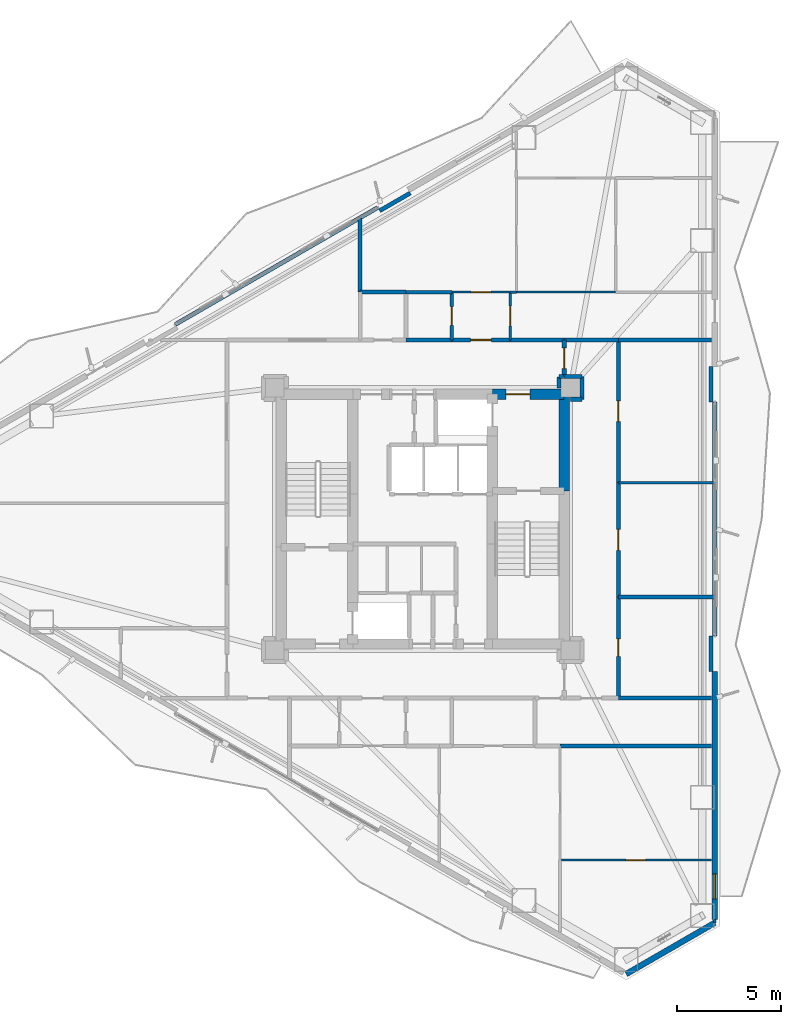
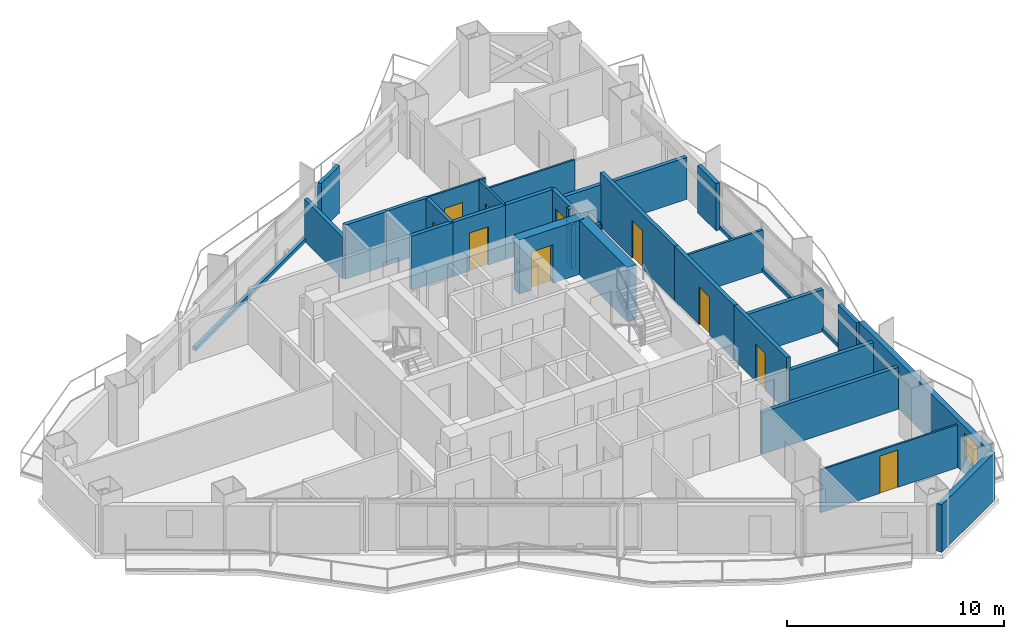
# One storey, part 18 of 22: 37 walls, 10 doors, 1 window, 11 openings.
"""IFC4 building model written with IfcOpenShell, lengths in metres."""

import ifcopenshell
import ifcopenshell.guid

model = None  # the IFC model being written
_history = None  # IfcOwnerHistory: only IFC2X3 demands one
_inside = {}  # id of a spatial element -> (the spatial element, [elements in it])
_under = {}  # id of a project, library or spatial element -> (it, [spatial elements below it])
_declared = {}  # id of a project -> (the project, [libraries it declares])
_typed = {}  # id of a type object -> (the type object, [elements of that type])
_made_of = {}  # id of a material, layer set ... -> (it, [elements and type objects made of it])


def new_model(schema):
    """Start an empty IFC model of exactly this schema.

    Asked for "IFC4X3", IfcOpenShell would pick the latest addendum, in which some entities
    have other attributes; the version numbers below select the first issue.
    IFC2X3 requires an IfcOwnerHistory on every rooted entity: one is made here for all.
    """
    global model, _history
    if schema == "IFC4X3":
        model = ifcopenshell.file(schema_version=(4, 3, 0, 0))
    else:
        model = ifcopenshell.file(schema=schema)
    _inside.clear()
    _under.clear()
    _declared.clear()
    _typed.clear()
    _made_of.clear()
    _history = None
    if model.schema == "IFC2X3":
        org = make("IfcOrganization", Name="unknown")
        user = make(
            "IfcPersonAndOrganization",
            ThePerson=make("IfcPerson", FamilyName="unknown"),
            TheOrganization=org,
        )
        app = make(
            "IfcApplication",
            ApplicationDeveloper=org,
            Version="unknown",
            ApplicationFullName="unknown",
            ApplicationIdentifier="unknown",
        )
        _history = make(
            "IfcOwnerHistory",
            OwningUser=user,
            OwningApplication=app,
            ChangeAction="ADDED",
            CreationDate=0,
        )
    return model


def make(cls, **values):
    """One entity of the class cls with the attributes given. An attribute that is None is left unset."""
    return model.create_entity(
        cls, **{name: value for name, value in values.items() if value is not None}
    )


def rooted(cls, **values):
    """An entity with a GlobalId (a new one), such as an element, a storey or a relation."""
    return make(cls, GlobalId=ifcopenshell.guid.new(), OwnerHistory=_history, **values)


def si_unit(unit_type, name, prefix=None):
    """IfcSIUnit, for example si_unit("LENGTHUNIT", "METRE", prefix="MILLI")."""
    return make("IfcSIUnit", UnitType=unit_type, Prefix=prefix, Name=name)


def assignment(units):
    """IfcUnitAssignment: the units of a project."""
    return None if units is None else make("IfcUnitAssignment", Units=units)


def point(xyz):
    """IfcCartesianPoint."""
    return None if xyz is None else make("IfcCartesianPoint", Coordinates=xyz)


def direction(xyz):
    """IfcDirection."""
    return None if xyz is None else make("IfcDirection", DirectionRatios=xyz)


def frame(location, z_axis=None, x_axis=None):
    """IfcAxis2Placement3D, a coordinate frame: its origin and axes. An axis left out is left unset."""
    return make(
        "IfcAxis2Placement3D",
        Location=point(location),
        Axis=direction(z_axis),
        RefDirection=direction(x_axis),
    )


def frame_2d(location, x_axis=None):
    """IfcAxis2Placement2D, a coordinate frame in the plane: its origin and x axis."""
    return make(
        "IfcAxis2Placement2D", Location=point(location), RefDirection=direction(x_axis)
    )


def origin():
    """The frame at (0, 0, 0) with its axes left unset."""
    return frame((0.0, 0.0, 0.0))


def place(relative_to, where):
    """IfcLocalPlacement: puts the frame where relative to a parent placement (None: the world)."""
    return make(
        "IfcLocalPlacement", PlacementRelTo=relative_to, RelativePlacement=where
    )


def context(
    kind, dimensions, precision=None, world=None, true_north=None, identifier=None
):
    """IfcGeometricRepresentationContext, for example the 3D "Model" context."""
    return make(
        "IfcGeometricRepresentationContext",
        ContextIdentifier=identifier,
        ContextType=kind,
        CoordinateSpaceDimension=dimensions,
        Precision=precision,
        WorldCoordinateSystem=world,
        TrueNorth=true_north,
    )


def subcontext(parent, identifier, kind, view, scale=None):
    """IfcGeometricRepresentationSubContext, for example "Body" below "Model"."""
    return make(
        "IfcGeometricRepresentationSubContext",
        ContextIdentifier=identifier,
        ContextType=kind,
        ParentContext=parent,
        TargetScale=scale,
        TargetView=view,
    )


def project(units=None, contexts=None):
    """IfcProject with its units and contexts."""
    return rooted(
        "IfcProject",
        Name="project",
        RepresentationContexts=contexts,
        UnitsInContext=assignment(units),
    )


def spatial(cls, under=None, at=None, **own):
    """A site, building, storey or space (cls), placed at a placement, below another one or the project."""
    s = rooted(cls, ObjectPlacement=at, **own)
    if under is not None:
        _under.setdefault(under.id(), (under, []))[1].append(s)
    return s


def profile(cls, at=None, kind="AREA", **sizes):
    """A parametric profile (cls). Its sizes go by their IFC names, for example OverallWidth=200.0."""
    return make(cls, ProfileType=kind, Position=at, **sizes)


def rectangle(**sizes):
    """IfcRectangleProfileDef."""
    return profile("IfcRectangleProfileDef", **sizes)


def extrude(swept, where, along, depth):
    """IfcExtrudedAreaSolid: the profile swept, set in the frame where, extruded along a direction by depth."""
    return make(
        "IfcExtrudedAreaSolid",
        SweptArea=swept,
        Position=where,
        ExtrudedDirection=direction(along),
        Depth=depth,
    )


def shape(context_of_items, identifier, shape_type, items):
    """IfcShapeRepresentation: the items that make up one representation, for example the "Body"."""
    return make(
        "IfcShapeRepresentation",
        ContextOfItems=context_of_items,
        RepresentationIdentifier=identifier,
        RepresentationType=shape_type,
        Items=items,
    )


def material(Name=None, Category=None):
    """IfcMaterial."""
    return make("IfcMaterial", Name=Name, Category=Category)


def layer(
    of_material, thickness, ventilated=None, Name=None, Category=None, Priority=None
):
    """IfcMaterialLayer: one layer of a wall or slab, of a material (None: an air gap)."""
    return make(
        "IfcMaterialLayer",
        Material=of_material,
        LayerThickness=thickness,
        IsVentilated=ventilated,
        Name=Name,
        Category=Category,
        Priority=Priority,
    )


def layer_set(layers, Name=None):
    """IfcMaterialLayerSet."""
    return make("IfcMaterialLayerSet", MaterialLayers=layers, LayerSetName=Name)


def made_of(thing, what):
    """Note that an element or type object is made of a material, layer set ...; save() writes the relation."""
    if what is not None:
        _made_of.setdefault(what.id(), (what, []))[1].append(thing)
    return thing


def type_object(cls, material=None, **own):
    """A type object (cls), such as IfcWallType, which elements share."""
    return made_of(rooted(cls, **own), material)


def element(
    cls,
    number,
    at=None,
    inside=None,
    cuts=None,
    type_object=None,
    material=None,
    context=None,
    identifier="Body",
    shape_type=None,
    held_by="IfcProductDefinitionShape",
    body=None,
    shapes=None,
    **own,
):
    """One element of the class cls, such as IfcWall. Its Tag is "e" and its number.

    at: its placement. inside: the storey or other place that contains it. cuts: it is an
    opening in that element (IfcRelVoidsElement). A single representation is given by context,
    identifier, shape_type and body (its items); several are given by shapes. held_by: the class
    of the entity that holds the representations. save() writes the other relations.
    """
    e = rooted(cls, Tag="e%d" % number, ObjectPlacement=at, **own)
    if body is not None:
        shapes = [shape(context, identifier, shape_type, body)]
    if shapes is not None:
        e.Representation = make(held_by, Representations=shapes)
    if inside is not None:
        _inside.setdefault(inside.id(), (inside, []))[1].append(e)
    if cuts is not None:
        rooted(
            "IfcRelVoidsElement", RelatingBuildingElement=cuts, RelatedOpeningElement=e
        )
    if type_object is not None:
        _typed.setdefault(type_object.id(), (type_object, []))[1].append(e)
    return made_of(e, material)


def fill(opening, filler):
    """IfcRelFillsElement: the door or window that sits in an opening."""
    return rooted(
        "IfcRelFillsElement",
        RelatingOpeningElement=opening,
        RelatedBuildingElement=filler,
    )


def aggregate(whole, parts):
    """IfcRelAggregates: a whole, such as a stair, and the parts it consists of."""
    return rooted("IfcRelAggregates", RelatingObject=whole, RelatedObjects=parts)


def save(model, path):
    """Write the relations noted so far, then the file.

    IfcRelAggregates (storeys below a building ...), IfcRelContainedInSpatialStructure (elements
    in a storey), IfcRelDefinesByType, IfcRelAssociatesMaterial and IfcRelDeclares: one each for
    every whole, place, type object, material and project.
    """
    for whole, parts in _under.values():
        aggregate(whole, parts)
    for where, things in _inside.values():
        rooted(
            "IfcRelContainedInSpatialStructure",
            RelatedElements=things,
            RelatingStructure=where,
        )
    for kind, things in _typed.values():
        rooted("IfcRelDefinesByType", RelatedObjects=things, RelatingType=kind)
    for what, things in _made_of.values():
        rooted("IfcRelAssociatesMaterial", RelatedObjects=things, RelatingMaterial=what)
    for by, libraries in _declared.values():
        rooted("IfcRelDeclares", RelatingContext=by, RelatedDefinitions=libraries)
    model.write(path)


model = new_model("IFC4")

# Units and contexts
model_context = context("Model", 3, precision=1e-05, world=origin(), true_north=direction((0.0, 1.0)))
body_context = subcontext(model_context, "Body", "Model", "MODEL_VIEW")
ifc_project = project(units=[si_unit("LENGTHUNIT", "METRE"), si_unit("AREAUNIT", "SQUARE_METRE"), si_unit("VOLUMEUNIT", "CUBIC_METRE"), si_unit("PLANEANGLEUNIT", "RADIAN"), si_unit("MASSUNIT", "GRAM", prefix="KILO")], contexts=[model_context])

# Site, building, storey
site_placement = place(None, origin())
site = spatial("IfcSite", under=ifc_project, at=site_placement, CompositionType="ELEMENT")
building_placement = place(site_placement, origin())
building = spatial("IfcBuilding", under=site, at=building_placement, Name="Mersakhor Tower and Convention Hall", CompositionType="ELEMENT")
storey_placement = place(building_placement, frame((0.0, 0.0, 90.0)))
storey = spatial("IfcBuildingStorey", under=building, at=storey_placement, Name="L24", CompositionType="ELEMENT", Elevation=90.0)

# Wall
ifc_material_1 = material(Name="Precast concrete C45/55", Category="concrete")
ifc_layer_1 = layer(ifc_material_1, 0.27490234375)
ifc_layer_set_1 = layer_set([ifc_layer_1], Name="Precast concrete C45/55")
wall_type_1 = type_object("IfcWallType", Name="WL-EXT-275", PredefinedType="SOLIDWALL", material=ifc_layer_set_1)
wall_1_placement = place(storey_placement, frame((43.03466796875, 7.355712890625, 0.0), z_axis=(0.0, 0.0, 1.0), x_axis=(-0.866011848704, -0.500023477353, 0.0)))
element("IfcWall", 1, at=wall_1_placement, inside=storey, type_object=wall_type_1, Name="L24 Chamfer Braced Spandrel Wall C2", PredefinedType="SOLIDWALL", context=body_context, shape_type="SweptSolid", body=[
    extrude(rectangle(XDim=4.914306640625, YDim=0.27490234375, at=frame_2d((2.45703125, 0.0))), origin(), (0.0, 0.0, 1.0), 2.669921875),
])

# Wall, opening, window
wall_2_placement = place(storey_placement, frame((43.03466796875, 19.435302734375, 0.0), z_axis=(0.0, 0.0, 1.0), x_axis=(0.0, -1.0, 0.0)))
wall_2 = element("IfcWall", 2, at=wall_2_placement, inside=storey, type_object=wall_type_1, Name="L24 Exterior Facade Wall F2-B3", PredefinedType="SOLIDWALL", context=body_context, shape_type="SweptSolid", body=[
    extrude(rectangle(XDim=11.9296875, YDim=0.27490234375, at=frame_2d((5.96484375, 0.0))), origin(), (0.0, 0.0, 1.0), 2.669921875),
])
opening_1_placement = place(wall_2_placement, frame((9.72607421875, 0.0, 0.89990234375)))
opening_1 = element("IfcOpeningElement", 3, at=opening_1_placement, cuts=wall_2, Name="Opening W-01", PredefinedType="OPENING", context=body_context, shape_type="SweptSolid", body=[
    extrude(rectangle(XDim=1.199951171875, YDim=1.39990234375, at=frame_2d((0.60009765625, 0.699951171875))), frame((0.0, 0.1474609375, 0.0), z_axis=(0.0, -1.0, 0.0), x_axis=(1.0, 0.0, 0.0)), (0.0, 0.0, 1.0), 0.294921875),
])
ifc_material_2 = material(Name="Dark solar low-E glazed aluminium window", Category="aluminium")
window_type = type_object("IfcWindowType", Name="WN-RES-120x150", PartitioningType="SINGLE_PANEL", PredefinedType="WINDOW", material=ifc_material_2)
window_placement = place(opening_1_placement, origin())
window = element("IfcWindow", 4, at=window_placement, inside=storey, type_object=window_type, Name="L24 Bedroom Facade Window F2-B3-1", OverallHeight=1.39990234375, OverallWidth=1.199951171875, PartitioningType="SINGLE_PANEL", PredefinedType="WINDOW", context=body_context, shape_type="SweptSolid", body=[
    extrude(rectangle(XDim=1.199951171875, YDim=1.39990234375, at=frame_2d((0.60009765625, 0.699951171875))), frame((0.0, 0.030029296875, 0.0), z_axis=(0.0, -1.0, 0.0), x_axis=(1.0, 0.0, 0.0)), (0.0, 0.0, 1.0), 0.06005859375),
])
fill(opening_1, window)

# Walls
ifc_material_3 = material(Name="Precast concrete C40/50", Category="concrete")
ifc_layer_2 = layer(ifc_material_3, 0.199951171875)
ifc_layer_set_2 = layer_set([ifc_layer_2], Name="Precast concrete C40/50")
wall_type_2 = type_object("IfcWallType", Name="WL-PAR-200", PredefinedType="PARAPET", material=ifc_layer_set_2)
wall_3_placement = place(storey_placement, frame((17.1201171875, 36.096923828125, 0.0), z_axis=(0.0, 0.0, 1.0), x_axis=(0.866027010039, 0.499997217876, 0.0)))
element("IfcWall", 5, at=wall_3_placement, inside=storey, type_object=wall_type_2, Name="L24 Curtain Wall Upstand Sill F1-B2", PredefinedType="PARAPET", context=body_context, shape_type="SweptSolid", body=[
    extrude(rectangle(XDim=11.2294921875, YDim=0.199951171875, at=frame_2d((5.61474609375, 0.0))), origin(), (0.0, 0.0, 1.0), 0.199951171875),
])
wall_4_placement = place(storey_placement, frame((26.935302734375, 41.555908203125, 0.0), z_axis=(0.0, 0.0, 1.0), x_axis=(0.86605165483, 0.499954529098, 0.0)))
element("IfcWall", 6, at=wall_4_placement, inside=storey, type_object=wall_type_2, Name="L24 Column Pier Cladding Wall F1-C2", PredefinedType="PARAPET", context=body_context, shape_type="SweptSolid", body=[
    extrude(rectangle(XDim=1.699951171875, YDim=0.199951171875, at=frame_2d((0.85009765625, 0.0))), origin(), (0.0, 0.0, 1.0), 2.669921875),
])
wall_5_placement = place(storey_placement, frame((43.03466796875, 32.36474609375, 0.0), z_axis=(0.0, 0.0, 1.0), x_axis=(0.0, -1.0, 0.0)))
element("IfcWall", 7, at=wall_5_placement, inside=storey, type_object=wall_type_2, Name="L24 Curtain Wall Upstand Sill F2-B2", PredefinedType="PARAPET", context=body_context, shape_type="SweptSolid", body=[
    extrude(rectangle(XDim=11.2294921875, YDim=0.199951171875, at=frame_2d((5.61474609375, 0.0))), origin(), (0.0, 0.0, 1.0), 0.199951171875),
])
for number, where, z_axis, x_axis, name in (
    (8, (42.8544921875, 34.064697265625, 0.0), (0.0, 0.0, 1.0), (0.0, -1.0, 0.0), "L24 Column Pier Cladding Wall F2-C1"),
    (9, (42.8544921875, 21.13525390625, 0.0), (0.0, 0.0, 1.0), (0.0, -1.0, 0.0), "L24 Column Pier Cladding Wall F2-C2"),
):
    element("IfcWall", number, at=place(storey_placement, frame(where, z_axis=z_axis, x_axis=x_axis)), inside=storey, type_object=wall_type_2, Name=name, PredefinedType="PARAPET", context=body_context, shape_type="SweptSolid", body=[
        extrude(rectangle(XDim=1.699951171875, YDim=0.199951171875, at=frame_2d((0.85009765625, 0.0))), origin(), (0.0, 0.0, 1.0), 2.669921875),
    ])

# Wall, opening, door
ifc_material_4 = material(Name="Moisture-resistant acoustic drywall studwork", Category="other")
ifc_layer_3 = layer(ifc_material_4, 0.175048828125)
ifc_layer_set_3 = layer_set([ifc_layer_3], Name="Moisture-resistant acoustic drywall studwork")
wall_type_3 = type_object("IfcWallType", Name="WL-PLM-175", PredefinedType="PLUMBINGWALL", material=ifc_layer_set_3)
wall_6_placement = place(storey_placement, frame((30.39990234375, 35.35009765625, 0.0), z_axis=(0.0, 0.0, 1.0), x_axis=(0.0, 1.0, 0.0)))
wall_6 = element("IfcWall", 10, at=wall_6_placement, inside=storey, type_object=wall_type_3, Name="L24 Interior Partition Wall P-062", PredefinedType="PLUMBINGWALL", context=body_context, shape_type="SweptSolid", body=[
    extrude(rectangle(XDim=2.2998046875, YDim=0.175048828125, at=frame_2d((1.14990234375, 0.0))), origin(), (0.0, 0.0, 1.0), 3.050048828125),
])
opening_2_placement = place(wall_6_placement, frame((0.699951171875, 0.0, 0.0)))
opening_2 = element("IfcOpeningElement", 11, at=opening_2_placement, cuts=wall_6, Name="Opening WD-01", PredefinedType="OPENING", context=body_context, shape_type="SweptSolid", body=[
    extrude(rectangle(XDim=0.89990234375, YDim=2.10009765625, at=frame_2d((0.449951171875, 1.050048828125))), frame((0.0, 0.097412109375, 0.0), z_axis=(0.0, -1.0, 0.0), x_axis=(1.0, 0.0, 0.0)), (0.0, 0.0, 1.0), 0.195068359375),
])
ifc_material_5 = material(Name="Solid-core hardwood leaf in painted steel frame", Category="steel")
door_type_1 = type_object("IfcDoorType", Name="DR-INT-WET-090x210", OperationType="NOTDEFINED", PredefinedType="DOOR", material=ifc_material_5)
door_1_placement = place(opening_2_placement, origin())
door_1 = element("IfcDoor", 12, at=door_1_placement, inside=storey, type_object=door_type_1, Name="L24 L24 Flat N1 Apartment Hall to L24 Flat N1 Bathroom Door", OperationType="SINGLE_SWING_RIGHT", OverallHeight=2.10009765625, OverallWidth=0.89990234375, PredefinedType="DOOR", context=body_context, shape_type="SweptSolid", body=[
    extrude(rectangle(XDim=0.89990234375, YDim=2.10009765625, at=frame_2d((0.449951171875, 1.050048828125))), frame((0.0, 0.02490234375, 0.0), z_axis=(0.0, -1.0, 0.0), x_axis=(1.0, 0.0, 0.0)), (0.0, 0.0, 1.0), 0.050048828125),
])
fill(opening_2, door_1)

# Wall
wall_7_placement = place(storey_placement, frame((28.199951171875, 37.64990234375, 0.0), z_axis=(0.0, 0.0, 1.0), x_axis=(1.0, 0.0, 0.0)))
element("IfcWall", 13, at=wall_7_placement, inside=storey, type_object=wall_type_3, Name="L24 Interior Partition Wall P-073", PredefinedType="PLUMBINGWALL", context=body_context, shape_type="SweptSolid", body=[
    extrude(rectangle(XDim=2.199951171875, YDim=0.175048828125, at=frame_2d((1.10009765625, 0.0))), origin(), (0.0, 0.0, 1.0), 3.050048828125),
])

# Wall, opening, door
ifc_material_6 = material(Name="Lightweight gypsum partition", Category="other")
ifc_layer_4 = layer(ifc_material_6, 0.10009765625)
ifc_layer_set_4 = layer_set([ifc_layer_4], Name="Lightweight gypsum partition")
wall_type_4 = type_object("IfcWallType", Name="WL-PRT-100", PredefinedType="PARTITIONING", material=ifc_layer_set_4)
wall_8_placement = place(storey_placement, frame((30.39990234375, 37.64990234375, 0.0), z_axis=(0.0, 0.0, 1.0), x_axis=(1.0, 0.0, 0.0)))
wall_8 = element("IfcWall", 14, at=wall_8_placement, inside=storey, type_object=wall_type_4, Name="L24 Interior Partition Wall P-060", PredefinedType="PARTITIONING", context=body_context, shape_type="SweptSolid", body=[
    extrude(rectangle(XDim=2.800048828125, YDim=0.10009765625, at=frame_2d((1.39990234375, 0.0))), origin(), (0.0, 0.0, 1.0), 3.050048828125),
])
opening_3_placement = place(wall_8_placement, frame((0.925048828125, 0.0, 0.0)))
opening_3 = element("IfcOpeningElement", 15, at=opening_3_placement, cuts=wall_8, Name="Opening RD-01", PredefinedType="OPENING", context=body_context, shape_type="SweptSolid", body=[
    extrude(rectangle(XDim=0.949951171875, YDim=2.10009765625, at=frame_2d((0.47509765625, 1.050048828125))), frame((0.0, 0.06005859375, 0.0), z_axis=(0.0, -1.0, 0.0), x_axis=(1.0, 0.0, 0.0)), (0.0, 0.0, 1.0), 0.1201171875),
])
ifc_material_7 = material(Name="Solid-core hardwood leaf in painted steel frame", Category="steel")
door_type_2 = type_object("IfcDoorType", Name="DR-INT-RM-095x210", OperationType="NOTDEFINED", PredefinedType="DOOR", material=ifc_material_7)
door_2_placement = place(opening_3_placement, origin())
door_2 = element("IfcDoor", 16, at=door_2_placement, inside=storey, type_object=door_type_2, Name="L24 L24 Flat N1 Apartment Hall to L24 Flat N1 Living and Dining Room Door", OperationType="SINGLE_SWING_RIGHT", OverallHeight=2.10009765625, OverallWidth=0.949951171875, PredefinedType="DOOR", context=body_context, shape_type="SweptSolid", body=[
    extrude(rectangle(XDim=0.949951171875, YDim=2.10009765625, at=frame_2d((0.47509765625, 1.050048828125))), frame((0.0, 0.02490234375, 0.0), z_axis=(0.0, -1.0, 0.0), x_axis=(1.0, 0.0, 0.0)), (0.0, 0.0, 1.0), 0.050048828125),
])
fill(opening_3, door_2)

# Wall
wall_9_placement = place(storey_placement, frame((33.5, 37.64990234375, 0.0), z_axis=(0.0, 0.0, 1.0), x_axis=(1.0, 0.0, 0.0)))
element("IfcWall", 17, at=wall_9_placement, inside=storey, type_object=wall_type_4, Name="L24 Interior Partition Wall P-076", PredefinedType="PARTITIONING", context=body_context, shape_type="SweptSolid", body=[
    extrude(rectangle(XDim=4.77001953125, YDim=0.10009765625, at=frame_2d((2.385009765625, 0.0))), origin(), (0.0, 0.0, 1.0), 2.4228515625),
])

# Wall, opening, door
wall_10_placement = place(storey_placement, frame((35.60009765625, 10.3701171875, 0.0), z_axis=(0.0, 0.0, 1.0), x_axis=(1.0, 0.0, 0.0)))
wall_10 = element("IfcWall", 18, at=wall_10_placement, inside=storey, type_object=wall_type_4, Name="L24 Interior Partition Wall P-106", PredefinedType="PARTITIONING", context=body_context, shape_type="SweptSolid", body=[
    extrude(rectangle(XDim=7.27294921875, YDim=0.10009765625, at=frame_2d((3.636474609375, 0.0))), origin(), (0.0, 0.0, 1.0), 2.4228515625),
])
opening_4_placement = place(wall_10_placement, frame((3.16162109375, 0.0, 0.0)))
opening_4 = element("IfcOpeningElement", 19, at=opening_4_placement, cuts=wall_10, Name="Opening RD-01", PredefinedType="OPENING", context=body_context, shape_type="SweptSolid", body=[
    extrude(rectangle(XDim=0.949951171875, YDim=2.10009765625, at=frame_2d((0.47509765625, 1.050048828125))), frame((0.0, 0.06005859375, 0.0), z_axis=(0.0, -1.0, 0.0), x_axis=(1.0, 0.0, 0.0)), (0.0, 0.0, 1.0), 0.1201171875),
])
door_3_placement = place(opening_4_placement, origin())
door_3 = element("IfcDoor", 20, at=door_3_placement, inside=storey, type_object=door_type_2, Name="L24 L24 Flat S2 Bedroom 2 to L24 Flat S2 Dining Room Door", OperationType="SINGLE_SWING_LEFT", OverallHeight=2.10009765625, OverallWidth=0.949951171875, PredefinedType="DOOR", context=body_context, shape_type="SweptSolid", body=[
    extrude(rectangle(XDim=0.949951171875, YDim=2.10009765625, at=frame_2d((0.47509765625, 1.050048828125))), frame((0.0, 0.02490234375, 0.0), z_axis=(0.0, -1.0, 0.0), x_axis=(1.0, 0.0, 0.0)), (0.0, 0.0, 1.0), 0.050048828125),
])
fill(opening_4, door_3)

ifc_material_8 = material(Name="Gypsum board acoustic partition", Category="other")
ifc_layer_5 = layer(ifc_material_8, 0.125)
ifc_layer_set_5 = layer_set([ifc_layer_5], Name="Gypsum board acoustic partition")
wall_type_5 = type_object("IfcWallType", Name="WL-PRT-125", PredefinedType="PARTITIONING", material=ifc_layer_set_5)
wall_11_placement = place(storey_placement, frame((33.199951171875, 37.64990234375, 0.0), z_axis=(0.0, 0.0, 1.0), x_axis=(0.0, -1.0, 0.0)))
wall_11 = element("IfcWall", 21, at=wall_11_placement, inside=storey, type_object=wall_type_5, Name="L24 Interior Partition Wall P-061", PredefinedType="PARTITIONING", context=body_context, shape_type="SweptSolid", body=[
    extrude(rectangle(XDim=2.2998046875, YDim=0.125, at=frame_2d((1.14990234375, 0.0))), origin(), (0.0, 0.0, 1.0), 3.050048828125),
])
opening_5_placement = place(wall_11_placement, frame((0.675048828125, 0.0, 0.0)))
opening_5 = element("IfcOpeningElement", 22, at=opening_5_placement, cuts=wall_11, Name="Opening RD-01", PredefinedType="OPENING", context=body_context, shape_type="SweptSolid", body=[
    extrude(rectangle(XDim=0.949951171875, YDim=2.10009765625, at=frame_2d((0.47509765625, 1.050048828125))), frame((0.0, 0.072509765625, 0.0), z_axis=(0.0, -1.0, 0.0), x_axis=(1.0, 0.0, 0.0)), (0.0, 0.0, 1.0), 0.14501953125),
])
door_4_placement = place(opening_5_placement, origin())
door_4 = element("IfcDoor", 23, at=door_4_placement, inside=storey, type_object=door_type_2, Name="L24 L24 Flat N1 Apartment Hall to L24 Flat N1 Kitchen Door", OperationType="SINGLE_SWING_LEFT", OverallHeight=2.10009765625, OverallWidth=0.949951171875, PredefinedType="DOOR", context=body_context, shape_type="SweptSolid", body=[
    extrude(rectangle(XDim=0.949951171875, YDim=2.10009765625, at=frame_2d((0.47509765625, 1.050048828125))), frame((0.0, 0.02490234375, 0.0), z_axis=(0.0, -1.0, 0.0), x_axis=(1.0, 0.0, 0.0)), (0.0, 0.0, 1.0), 0.050048828125),
])
fill(opening_5, door_4)

# Walls
wall_12_placement = place(storey_placement, frame((33.199951171875, 37.64990234375, 0.0), z_axis=(0.0, 0.0, 1.0), x_axis=(1.0, 0.0, 0.0)))
element("IfcWall", 24, at=wall_12_placement, inside=storey, type_object=wall_type_5, Name="L24 Interior Partition Wall P-075", PredefinedType="PARTITIONING", context=body_context, shape_type="SweptSolid", body=[
    extrude(rectangle(XDim=0.300048828125, YDim=0.125, at=frame_2d((0.14990234375, 0.0))), origin(), (0.0, 0.0, 1.0), 3.050048828125),
])
wall_13_placement = place(storey_placement, frame((42.99853515625, 28.5, 0.0), z_axis=(0.0, 0.0, 1.0), x_axis=(-1.0, 0.0, 0.0)))
element("IfcWall", 25, at=wall_13_placement, inside=storey, type_object=wall_type_5, Name="L24 Interior Partition Wall P-095", PredefinedType="PARTITIONING", context=body_context, shape_type="SweptSolid", body=[
    extrude(rectangle(XDim=4.5986328125, YDim=0.125, at=frame_2d((2.29931640625, 0.0))), origin(), (0.0, 0.0, 1.0), 2.364990234375),
])
wall_14_placement = place(storey_placement, frame((43.034912109375, 7.505615234375, 0.0), z_axis=(0.0, 0.0, 1.0), x_axis=(0.0, -1.0, 0.0)))
element("IfcWall", 26, at=wall_14_placement, inside=storey, type_object=wall_type_5, Name="L24 Interior Partition Wall P-107", PredefinedType="PARTITIONING", context=body_context, shape_type="SweptSolid", body=[
    extrude(rectangle(XDim=0.149658203125, YDim=0.125, at=frame_2d((0.07470703125, 0.0))), origin(), (0.0, 0.0, 1.0), 3.050048828125),
])
ifc_material_9 = material(Name="Acoustic concrete blockwork and gypsum board", Category="masonry")
ifc_layer_6 = layer(ifc_material_9, 0.199951171875)
ifc_layer_set_6 = layer_set([ifc_layer_6], Name="Acoustic concrete blockwork and gypsum board")
wall_type_6 = type_object("IfcWallType", Name="WL-PRT-200", PredefinedType="PARTITIONING", material=ifc_layer_set_6)
wall_15_placement = place(storey_placement, frame((28.199951171875, 35.35009765625, 0.0), z_axis=(0.0, 0.0, 1.0), x_axis=(1.0, 0.0, 0.0)))
element("IfcWall", 27, at=wall_15_placement, inside=storey, type_object=wall_type_6, Name="L24 Interior Partition Wall P-037", PredefinedType="PARTITIONING", context=body_context, shape_type="SweptSolid", body=[
    extrude(rectangle(XDim=2.199951171875, YDim=0.199951171875, at=frame_2d((1.10009765625, 0.0))), origin(), (0.0, 0.0, 1.0), 3.050048828125),
])

# Wall, opening, door
wall_16_placement = place(storey_placement, frame((30.39990234375, 35.35009765625, 0.0), z_axis=(0.0, 0.0, 1.0), x_axis=(1.0, 0.0, 0.0)))
wall_16 = element("IfcWall", 28, at=wall_16_placement, inside=storey, type_object=wall_type_6, Name="L24 Interior Partition Wall P-038", PredefinedType="PARTITIONING", context=body_context, shape_type="SweptSolid", body=[
    extrude(rectangle(XDim=2.800048828125, YDim=0.199951171875, at=frame_2d((1.39990234375, 0.0))), origin(), (0.0, 0.0, 1.0), 3.050048828125),
])
opening_6_placement = place(wall_16_placement, frame((0.89990234375, 0.0, 0.0)))
opening_6 = element("IfcOpeningElement", 29, at=opening_6_placement, cuts=wall_16, Name="Opening FD-01", PredefinedType="OPENING", context=body_context, shape_type="SweptSolid", body=[
    extrude(rectangle(XDim=1.0, YDim=2.14990234375, at=frame_2d((0.5, 1.074951171875))), frame((0.0, 0.10986328125, 0.0), z_axis=(0.0, -1.0, 0.0), x_axis=(1.0, 0.0, 0.0)), (0.0, 0.0, 1.0), 0.219970703125),
])
ifc_material_10 = material(Name="Fire-rated hardwood leaf and painted steel frame", Category="steel")
door_type_3 = type_object("IfcDoorType", Name="DR-INT-FLT-100x215", OperationType="NOTDEFINED", PredefinedType="DOOR", material=ifc_material_10)
door_5_placement = place(opening_6_placement, origin())
door_5 = element("IfcDoor", 30, at=door_5_placement, inside=storey, type_object=door_type_3, Name="L24 Apartment Entrance Door (Residential Ring Corridor to L24 Flat N1 Apartment Hall)", OperationType="SINGLE_SWING_RIGHT", OverallHeight=2.14990234375, OverallWidth=1.0, PredefinedType="DOOR", context=body_context, shape_type="SweptSolid", body=[
    extrude(rectangle(XDim=1.0, YDim=2.14990234375, at=frame_2d((0.5, 1.074951171875))), frame((0.0, 0.02490234375, 0.0), z_axis=(0.0, -1.0, 0.0), x_axis=(1.0, 0.0, 0.0)), (0.0, 0.0, 1.0), 0.050048828125),
])
fill(opening_6, door_5)

# Wall
wall_17_placement = place(storey_placement, frame((33.199951171875, 35.35009765625, 0.0), z_axis=(0.0, 0.0, 1.0), x_axis=(1.0, 0.0, 0.0)))
element("IfcWall", 31, at=wall_17_placement, inside=storey, type_object=wall_type_6, Name="L24 Interior Partition Wall P-039", PredefinedType="PARTITIONING", context=body_context, shape_type="SweptSolid", body=[
    extrude(rectangle(XDim=2.60009765625, YDim=0.199951171875, at=frame_2d((1.300048828125, 0.0))), origin(), (0.0, 0.0, 1.0), 3.050048828125),
])

# Wall, opening, door
wall_18_placement = place(storey_placement, frame((35.800048828125, 35.35009765625, 0.0), z_axis=(0.0, 0.0, 1.0), x_axis=(0.0, -1.0, 0.0)))
wall_18 = element("IfcWall", 32, at=wall_18_placement, inside=storey, type_object=wall_type_6, Name="L24 Interior Partition Wall P-040", PredefinedType="PARTITIONING", context=body_context, shape_type="SweptSolid", body=[
    extrude(rectangle(XDim=1.75, YDim=0.199951171875, at=frame_2d((0.875, 0.0))), origin(), (0.0, 0.0, 1.0), 3.050048828125),
])
opening_7_placement = place(wall_18_placement, frame((0.375, 0.0, 0.0)))
opening_7 = element("IfcOpeningElement", 33, at=opening_7_placement, cuts=wall_18, Name="Opening FD-01", PredefinedType="OPENING", context=body_context, shape_type="SweptSolid", body=[
    extrude(rectangle(XDim=1.0, YDim=2.14990234375, at=frame_2d((0.5, 1.074951171875))), frame((0.0, 0.10986328125, 0.0), z_axis=(0.0, -1.0, 0.0), x_axis=(1.0, 0.0, 0.0)), (0.0, 0.0, 1.0), 0.219970703125),
])
door_6_placement = place(opening_7_placement, origin())
door_6 = element("IfcDoor", 34, at=door_6_placement, inside=storey, type_object=door_type_3, Name="L24 Ring Corridor Fire Door", OperationType="SINGLE_SWING_LEFT", OverallHeight=2.14990234375, OverallWidth=1.0, PredefinedType="DOOR", context=body_context, shape_type="SweptSolid", body=[
    extrude(rectangle(XDim=1.0, YDim=2.14990234375, at=frame_2d((0.5, 1.074951171875))), frame((0.0, 0.02490234375, 0.0), z_axis=(0.0, -1.0, 0.0), x_axis=(1.0, 0.0, 0.0)), (0.0, 0.0, 1.0), 0.050048828125),
])
fill(opening_7, door_6)

# Walls
wall_19_placement = place(storey_placement, frame((35.77001953125, 33.60009765625, 0.0), z_axis=(0.0, 0.0, 1.0), x_axis=(-1.0, 0.0, 0.0)))
element("IfcWall", 35, at=wall_19_placement, inside=storey, type_object=wall_type_6, Name="L24 Interior Partition Wall P-041", PredefinedType="PARTITIONING", context=body_context, shape_type="SweptSolid", body=[
    extrude(rectangle(XDim=0.219970703125, YDim=0.199951171875, at=frame_2d((0.10986328125, 0.0))), origin(), (0.0, 0.0, 1.0), 3.050048828125),
])
wall_20_placement = place(storey_placement, frame((35.550048828125, 33.570068359375, 0.0), z_axis=(0.0, 0.0, 1.0), x_axis=(0.0, -1.0, 0.0)))
element("IfcWall", 36, at=wall_20_placement, inside=storey, type_object=wall_type_6, Name="L24 Interior Partition Wall P-042", PredefinedType="PARTITIONING", context=body_context, shape_type="SweptSolid", body=[
    extrude(rectangle(XDim=0.52001953125, YDim=0.199951171875, at=frame_2d((0.260009765625, 0.0))), origin(), (0.0, 0.0, 1.0), 2.498291015625),
])
wall_21_placement = place(storey_placement, frame((36.10009765625, 32.5, 0.0), z_axis=(0.0, 0.0, 1.0), x_axis=(1.0, 0.0, 0.0)))
element("IfcWall", 37, at=wall_21_placement, inside=storey, type_object=wall_type_6, Name="L24 Interior Partition Wall P-050", PredefinedType="PARTITIONING", context=body_context, shape_type="SweptSolid", body=[
    extrude(rectangle(XDim=0.5498046875, YDim=0.199951171875, at=frame_2d((0.27490234375, 0.0))), origin(), (0.0, 0.0, 1.0), 2.498291015625),
])
wall_22_placement = place(storey_placement, frame((36.64990234375, 32.5, 0.0), z_axis=(0.0, 0.0, 1.0), x_axis=(0.0, 1.0, 0.0)))
element("IfcWall", 38, at=wall_22_placement, inside=storey, type_object=wall_type_6, Name="L24 Interior Partition Wall P-051", PredefinedType="PARTITIONING", context=body_context, shape_type="SweptSolid", body=[
    extrude(rectangle(XDim=1.10009765625, YDim=0.199951171875, at=frame_2d((0.550048828125, 0.0))), origin(), (0.0, 0.0, 1.0), 2.4228515625),
])
wall_23_placement = place(storey_placement, frame((36.64990234375, 33.60009765625, 0.0), z_axis=(0.0, 0.0, 1.0), x_axis=(-1.0, 0.0, 0.0)))
element("IfcWall", 39, at=wall_23_placement, inside=storey, type_object=wall_type_6, Name="L24 Interior Partition Wall P-052", PredefinedType="PARTITIONING", context=body_context, shape_type="SweptSolid", body=[
    extrude(rectangle(XDim=0.849853515625, YDim=0.199951171875, at=frame_2d((0.4248046875, 0.0))), origin(), (0.0, 0.0, 1.0), 2.4228515625),
])
wall_24_placement = place(storey_placement, frame((35.800048828125, 35.35009765625, 0.0), z_axis=(0.0, 0.0, 1.0), x_axis=(1.0, 0.0, 0.0)))
element("IfcWall", 40, at=wall_24_placement, inside=storey, type_object=wall_type_6, Name="L24 Interior Partition Wall P-053", PredefinedType="PARTITIONING", context=body_context, shape_type="SweptSolid", body=[
    extrude(rectangle(XDim=2.599853515625, YDim=0.199951171875, at=frame_2d((1.2998046875, 0.0))), origin(), (0.0, 0.0, 1.0), 2.4228515625),
])

# Wall, opening, door
wall_25_placement = place(storey_placement, frame((38.39990234375, 35.35009765625, 0.0), z_axis=(0.0, 0.0, 1.0), x_axis=(0.0, -1.0, 0.0)))
wall_25 = element("IfcWall", 41, at=wall_25_placement, inside=storey, type_object=wall_type_6, Name="L24 Interior Partition Wall P-054", PredefinedType="PARTITIONING", context=body_context, shape_type="SweptSolid", body=[
    extrude(rectangle(XDim=6.85009765625, YDim=0.199951171875, at=frame_2d((3.425048828125, 0.0))), origin(), (0.0, 0.0, 1.0), 3.050048828125),
])
opening_8_placement = place(wall_25_placement, frame((2.925048828125, 0.0, 0.0)))
opening_8 = element("IfcOpeningElement", 42, at=opening_8_placement, cuts=wall_25, Name="Opening FD-01", PredefinedType="OPENING", context=body_context, shape_type="SweptSolid", body=[
    extrude(rectangle(XDim=1.0, YDim=2.14990234375, at=frame_2d((0.5, 1.074951171875))), frame((0.0, 0.10986328125, 0.0), z_axis=(0.0, -1.0, 0.0), x_axis=(1.0, 0.0, 0.0)), (0.0, 0.0, 1.0), 0.219970703125),
])
door_7_placement = place(opening_8_placement, origin())
door_7 = element("IfcDoor", 43, at=door_7_placement, inside=storey, type_object=door_type_3, Name="L24 Residential Ring East Corridor to L24 East Wing Ceramics Teaching Studio Door", OperationType="SINGLE_SWING_LEFT", OverallHeight=2.14990234375, OverallWidth=1.0, PredefinedType="DOOR", context=body_context, shape_type="SweptSolid", body=[
    extrude(rectangle(XDim=1.0, YDim=2.14990234375, at=frame_2d((0.5, 1.074951171875))), frame((0.0, 0.02490234375, 0.0), z_axis=(0.0, -1.0, 0.0), x_axis=(1.0, 0.0, 0.0)), (0.0, 0.0, 1.0), 0.050048828125),
])
fill(opening_8, door_7)

wall_26_placement = place(storey_placement, frame((38.39990234375, 28.5, 0.0), z_axis=(0.0, 0.0, 1.0), x_axis=(0.0, -1.0, 0.0)))
wall_26 = element("IfcWall", 44, at=wall_26_placement, inside=storey, type_object=wall_type_6, Name="L24 Interior Partition Wall P-055", PredefinedType="PARTITIONING", context=body_context, shape_type="SweptSolid", body=[
    extrude(rectangle(XDim=5.5, YDim=0.199951171875, at=frame_2d((2.75, 0.0))), origin(), (0.0, 0.0, 1.0), 3.050048828125),
])
opening_9_placement = place(wall_26_placement, frame((2.25, 0.0, 0.0)))
opening_9 = element("IfcOpeningElement", 45, at=opening_9_placement, cuts=wall_26, Name="Opening FD-01", PredefinedType="OPENING", context=body_context, shape_type="SweptSolid", body=[
    extrude(rectangle(XDim=1.0, YDim=2.14990234375, at=frame_2d((0.5, 1.074951171875))), frame((0.0, 0.10986328125, 0.0), z_axis=(0.0, -1.0, 0.0), x_axis=(1.0, 0.0, 0.0)), (0.0, 0.0, 1.0), 0.219970703125),
])
door_8_placement = place(opening_9_placement, origin())
door_8 = element("IfcDoor", 46, at=door_8_placement, inside=storey, type_object=door_type_3, Name="L24 Residential Ring East Corridor to L24 East Wing Shared Laundry Room Door", OperationType="SINGLE_SWING_RIGHT", OverallHeight=2.14990234375, OverallWidth=1.0, PredefinedType="DOOR", context=body_context, shape_type="SweptSolid", body=[
    extrude(rectangle(XDim=1.0, YDim=2.14990234375, at=frame_2d((0.5, 1.074951171875))), frame((0.0, 0.02490234375, 0.0), z_axis=(0.0, -1.0, 0.0), x_axis=(1.0, 0.0, 0.0)), (0.0, 0.0, 1.0), 0.050048828125),
])
fill(opening_9, door_8)

wall_27_placement = place(storey_placement, frame((38.39990234375, 23.0, 0.0), z_axis=(0.0, 0.0, 1.0), x_axis=(0.0, -1.0, 0.0)))
wall_27 = element("IfcWall", 47, at=wall_27_placement, inside=storey, type_object=wall_type_6, Name="L24 Interior Partition Wall P-056", PredefinedType="PARTITIONING", context=body_context, shape_type="SweptSolid", body=[
    extrude(rectangle(XDim=4.85009765625, YDim=0.199951171875, at=frame_2d((2.425048828125, 0.0))), origin(), (0.0, 0.0, 1.0), 3.050048828125),
])
opening_10_placement = place(wall_27_placement, frame((2.0, 0.0, 0.0)))
opening_10 = element("IfcOpeningElement", 48, at=opening_10_placement, cuts=wall_27, Name="Opening SVD-01", PredefinedType="OPENING", context=body_context, shape_type="SweptSolid", body=[
    extrude(rectangle(XDim=0.85009765625, YDim=2.10009765625, at=frame_2d((0.425048828125, 1.050048828125))), frame((0.0, 0.10986328125, 0.0), z_axis=(0.0, -1.0, 0.0), x_axis=(1.0, 0.0, 0.0)), (0.0, 0.0, 1.0), 0.219970703125),
])
ifc_material_11 = material(Name="Fire-rated hardwood leaf and painted steel frame", Category="steel")
door_type_4 = type_object("IfcDoorType", Name="DR-INT-SVC-085x210", OperationType="NOTDEFINED", PredefinedType="DOOR", material=ifc_material_11)
door_9_placement = place(opening_10_placement, origin())
door_9 = element("IfcDoor", 49, at=door_9_placement, inside=storey, type_object=door_type_4, Name="L24 Residential Ring East Corridor to L24 East Wing Household Store Room Door", OperationType="SINGLE_SWING_LEFT", OverallHeight=2.10009765625, OverallWidth=0.85009765625, PredefinedType="DOOR", context=body_context, shape_type="SweptSolid", body=[
    extrude(rectangle(XDim=0.85009765625, YDim=2.10009765625, at=frame_2d((0.425048828125, 1.050048828125))), frame((0.0, 0.02490234375, 0.0), z_axis=(0.0, -1.0, 0.0), x_axis=(1.0, 0.0, 0.0)), (0.0, 0.0, 1.0), 0.050048828125),
])
fill(opening_10, door_9)

# Walls
wall_28_placement = place(storey_placement, frame((26.0, 37.64990234375, 0.0), z_axis=(0.0, 0.0, 1.0), x_axis=(1.0, 0.0, 0.0)))
element("IfcWall", 50, at=wall_28_placement, inside=storey, type_object=wall_type_6, Name="L24 Interior Partition Wall P-066", PredefinedType="PARTITIONING", context=body_context, shape_type="SweptSolid", body=[
    extrude(rectangle(XDim=2.199951171875, YDim=0.199951171875, at=frame_2d((1.10009765625, 0.0))), origin(), (0.0, 0.0, 1.0), 3.050048828125),
])
wall_29_placement = place(storey_placement, frame((42.873046875, 35.35009765625, 0.0), z_axis=(0.0, 0.0, 1.0), x_axis=(-1.0, 0.0, 0.0)))
element("IfcWall", 51, at=wall_29_placement, inside=storey, type_object=wall_type_6, Name="L24 Interior Partition Wall P-074", PredefinedType="PARTITIONING", context=body_context, shape_type="SweptSolid", body=[
    extrude(rectangle(XDim=4.47314453125, YDim=0.199951171875, at=frame_2d((2.236572265625, 0.0))), origin(), (0.0, 0.0, 1.0), 2.364990234375),
])
wall_30_placement = place(storey_placement, frame((26.0, 41.18212890625, 0.0), z_axis=(0.0, 0.0, 1.0), x_axis=(0.0, -1.0, 0.0)))
element("IfcWall", 52, at=wall_30_placement, inside=storey, type_object=wall_type_6, Name="L24 Interior Partition Wall P-086", PredefinedType="PARTITIONING", context=body_context, shape_type="SweptSolid", body=[
    extrude(rectangle(XDim=3.5322265625, YDim=0.199951171875, at=frame_2d((1.76611328125, 0.0))), origin(), (0.0, 0.0, 1.0), 2.364990234375),
])
wall_31_placement = place(storey_placement, frame((38.39990234375, 18.14990234375, 0.0), z_axis=(0.0, 0.0, 1.0), x_axis=(1.0, 0.0, 0.0)))
element("IfcWall", 53, at=wall_31_placement, inside=storey, type_object=wall_type_6, Name="L24 Interior Partition Wall P-089", PredefinedType="PARTITIONING", context=body_context, shape_type="SweptSolid", body=[
    extrude(rectangle(XDim=4.47314453125, YDim=0.199951171875, at=frame_2d((2.236572265625, 0.0))), origin(), (0.0, 0.0, 1.0), 2.364990234375),
])
wall_32_placement = place(storey_placement, frame((42.873046875, 15.85009765625, 0.0), z_axis=(0.0, 0.0, 1.0), x_axis=(-1.0, 0.0, 0.0)))
element("IfcWall", 54, at=wall_32_placement, inside=storey, type_object=wall_type_6, Name="L24 Interior Partition Wall P-090", PredefinedType="PARTITIONING", context=body_context, shape_type="SweptSolid", body=[
    extrude(rectangle(XDim=7.27294921875, YDim=0.199951171875, at=frame_2d((3.636474609375, 0.0))), origin(), (0.0, 0.0, 1.0), 2.364990234375),
])
wall_33_placement = place(storey_placement, frame((42.99853515625, 23.0, 0.0), z_axis=(0.0, 0.0, 1.0), x_axis=(-1.0, 0.0, 0.0)))
element("IfcWall", 55, at=wall_33_placement, inside=storey, type_object=wall_type_6, Name="L24 Interior Partition Wall P-096", PredefinedType="PARTITIONING", context=body_context, shape_type="SweptSolid", body=[
    extrude(rectangle(XDim=4.5986328125, YDim=0.199951171875, at=frame_2d((2.29931640625, 0.0))), origin(), (0.0, 0.0, 1.0), 2.364990234375),
])

# Wall, opening, door
ifc_material_12 = material(Name="Concrete C70/85", Category="concrete")
ifc_layer_7 = layer(ifc_material_12, 0.5)
ifc_layer_set_7 = layer_set([ifc_layer_7], Name="Concrete C70/85")
wall_type_7 = type_object("IfcWallType", Name="WL-SHR-500", PredefinedType="SHEAR", material=ifc_layer_set_7)
wall_34_placement = place(storey_placement, frame((32.35009765625, 32.75, 0.0), z_axis=(0.0, 0.0, 1.0), x_axis=(1.0, 0.0, 0.0)))
wall_34 = element("IfcWall", 56, at=wall_34_placement, inside=storey, type_object=wall_type_7, Name="L24 Core Wall CW-N4", PredefinedType="SHEAR", context=body_context, shape_type="SweptSolid", body=[
    extrude(rectangle(XDim=3.449951171875, YDim=0.5, at=frame_2d((1.72509765625, 0.0))), origin(), (0.0, 0.0, 1.0), 3.050048828125),
])
opening_11_placement = place(wall_34_placement, frame((0.64990234375, 0.0, 0.0)))
opening_11 = element("IfcOpeningElement", 57, at=opening_11_placement, cuts=wall_34, Name="Opening SD-01", PredefinedType="OPENING", context=body_context, shape_type="SweptSolid", body=[
    extrude(rectangle(XDim=1.14990234375, YDim=2.14990234375, at=frame_2d((0.574951171875, 1.074951171875))), frame((0.0, 0.260009765625, 0.0), z_axis=(0.0, -1.0, 0.0), x_axis=(1.0, 0.0, 0.0)), (0.0, 0.0, 1.0), 0.52001953125),
])
ifc_material_13 = material(Name="Fire-rated hardwood leaf and painted steel frame", Category="steel")
door_type_5 = type_object("IfcDoorType", Name="DR-INT-STAIR-115x215", OperationType="NOTDEFINED", PredefinedType="DOOR", material=ifc_material_13)
door_10_placement = place(opening_11_placement, origin())
door_10 = element("IfcDoor", 58, at=door_10_placement, inside=storey, type_object=door_type_5, Name="L24 Firefighting Lobby East Fire Door", OperationType="SINGLE_SWING_RIGHT", OverallHeight=2.14990234375, OverallWidth=1.14990234375, PredefinedType="DOOR", context=body_context, shape_type="SweptSolid", body=[
    extrude(rectangle(XDim=1.14990234375, YDim=2.14990234375, at=frame_2d((0.574951171875, 1.074951171875))), frame((0.0, 0.02490234375, 0.0), z_axis=(0.0, -1.0, 0.0), x_axis=(1.0, 0.0, 0.0)), (0.0, 0.0, 1.0), 0.050048828125),
])
fill(opening_11, door_10)

# Wall
wall_35_placement = place(storey_placement, frame((35.800048828125, 32.75, 0.0), z_axis=(0.0, 0.0, 1.0), x_axis=(0.0, -1.0, 0.0)))
element("IfcWall", 59, at=wall_35_placement, inside=storey, type_object=wall_type_7, Name="L24 Core Wall CW-E1", PredefinedType="SHEAR", context=body_context, shape_type="SweptSolid", body=[
    extrude(rectangle(XDim=4.64990234375, YDim=0.5, at=frame_2d((2.324951171875, 0.0))), origin(), (0.0, 0.0, 1.0), 3.050048828125),
])

save(model, "model.ifc")
